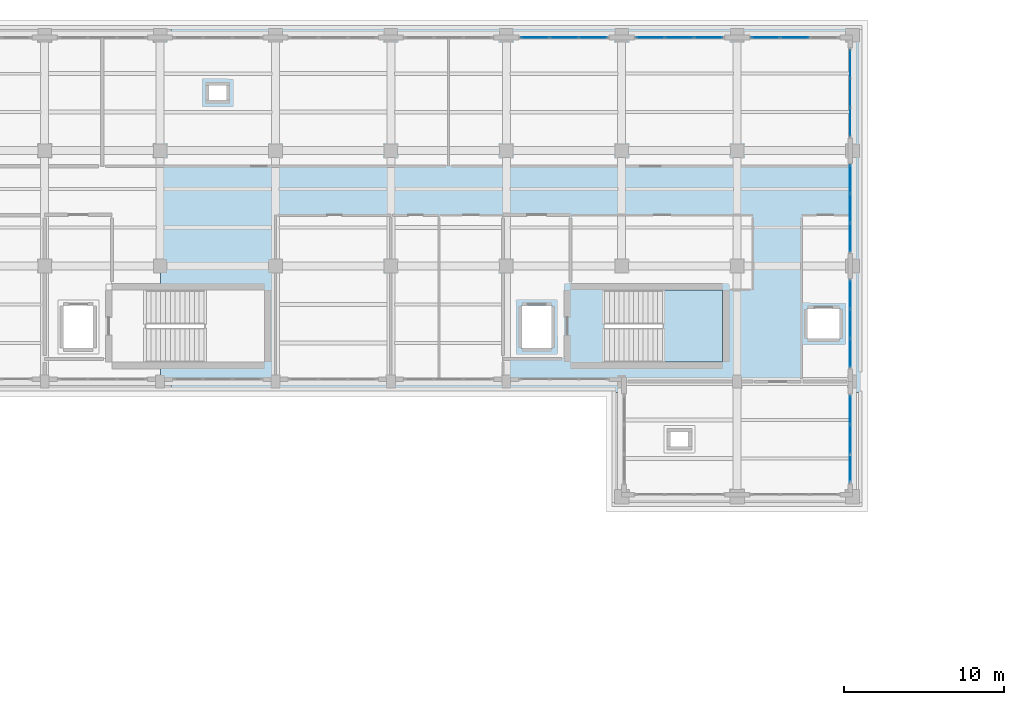
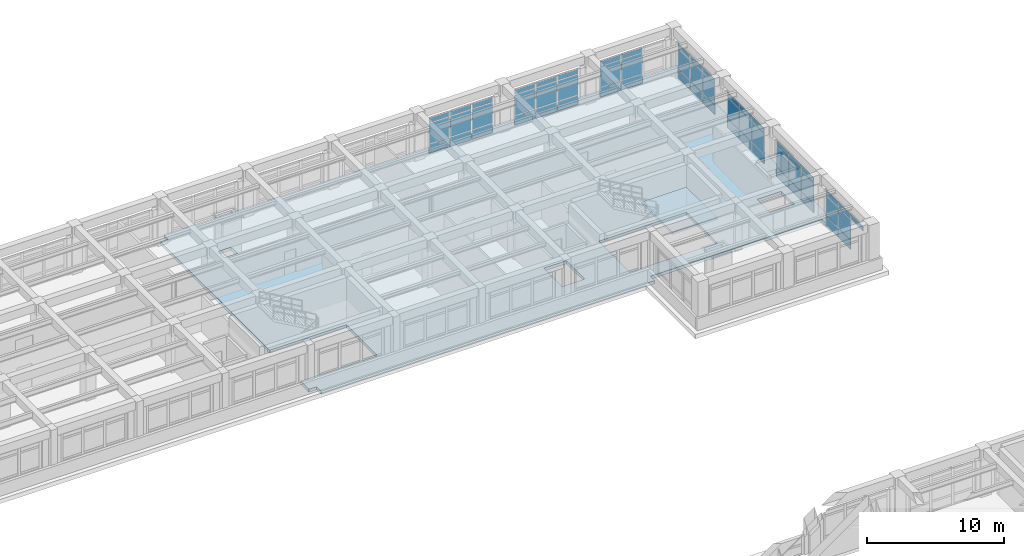
# One storey, part 46 of 69: 58 plates, 2 slabs, 8 elements without a shape of their own.
"""IFC4 building model written with IfcOpenShell, lengths in metres."""

from ifc_helpers import new_model, si_unit, direction, frame, origin, origin_2d, place, context, subcontext, project, spatial, polyline, rectangle, outline, extrude, material, layer, layer_set, type_object, element, aggregate, save


model = new_model("IFC4")

# Units and contexts
model_context = context("Model", 3, precision=1e-05, world=origin(), true_north=direction((0.0, 1.0)))
body_context = subcontext(model_context, "Body", "Model", "MODEL_VIEW")
ifc_project = project(units=[si_unit("LENGTHUNIT", "METRE"), si_unit("AREAUNIT", "SQUARE_METRE"), si_unit("VOLUMEUNIT", "CUBIC_METRE"), si_unit("PLANEANGLEUNIT", "RADIAN"), si_unit("MASSUNIT", "GRAM", prefix="KILO")], contexts=[model_context])

# Site, building, storey
site_placement = place(None, origin())
site = spatial("IfcSite", under=ifc_project, at=site_placement, CompositionType="ELEMENT")
building_placement = place(site_placement, origin())
building = spatial("IfcBuilding", under=site, at=building_placement, Name="Solenvale Faculty of Natural Sciences", CompositionType="ELEMENT")
storey_placement = place(building_placement, frame((0.0, 0.0, 4.5)))
storey = spatial("IfcBuildingStorey", under=building, at=storey_placement, Name="L01", CompositionType="ELEMENT", Elevation=4.5)

# Curtain wall, plates
ifc_material_1 = material(Name="Anodised bronze aluminium", Category="aluminium")
ifc_layer_1 = layer(ifc_material_1, 0.179931640625)
ifc_layer_set_1 = layer_set([ifc_layer_1], Name="Anodised bronze aluminium")
curtain_wall_type = type_object("IfcCurtainWallType", Name="CW-TWR-MOD", PredefinedType="USERDEFINED", material=ifc_layer_set_1)
curtain_wall_1_placement = place(storey_placement, origin())
curtain_wall_1 = element("IfcCurtainWall", 1, at=curtain_wall_1_placement, inside=storey, type_object=curtain_wall_type, Name="L01 Curtain Wall CW-L01-P2-E3-B3", ObjectType="UNITISED CURTAIN WALL", PredefinedType="USERDEFINED")
ifc_material_2 = material(Name="North-light skylight glass", Category="glass")
ifc_layer_2 = layer(ifc_material_2, 0.028076171875)
ifc_layer_set_2 = layer_set([ifc_layer_2], Name="North-light skylight glass")
plate_type_1 = type_object("IfcPlateType", Name="CWP-PNL-28", PredefinedType="CURTAIN_PANEL", material=ifc_layer_set_2)
plate_1_placement = place(storey_placement, frame((151.0576171875, 109.785400390625, 0.074951171875), z_axis=(0.0, 0.0, 1.0), x_axis=(0.0, 1.0, 0.0)))
plate_1 = element("IfcPlate", 2, at=plate_1_placement, type_object=plate_type_1, Name="CW-04 panel 1.1", PredefinedType="CURTAIN_PANEL", context=body_context, shape_type="SweptSolid", body=[
    extrude(rectangle(XDim=1.720947265625, YDim=0.028076171875, at=origin_2d()), origin(), (0.0, 0.0, 1.0), 0.78759765625),
])
plate_2_placement = place(storey_placement, frame((151.0576171875, 109.785400390625, 0.9375), z_axis=(0.0, 0.0, 1.0), x_axis=(0.0, 1.0, 0.0)))
plate_2 = element("IfcPlate", 3, at=plate_2_placement, type_object=plate_type_1, Name="CW-04 panel 1.2", PredefinedType="CURTAIN_PANEL", context=body_context, shape_type="SweptSolid", body=[
    extrude(rectangle(XDim=1.720947265625, YDim=0.028076171875, at=origin_2d()), origin(), (0.0, 0.0, 1.0), 1.784912109375),
])
plate_3_placement = place(storey_placement, frame((151.0576171875, 109.785400390625, 2.79736328125), z_axis=(0.0, 0.0, 1.0), x_axis=(0.0, 1.0, 0.0)))
plate_3 = element("IfcPlate", 4, at=plate_3_placement, type_object=plate_type_1, Name="CW-04 panel 1.3", PredefinedType="CURTAIN_PANEL", context=body_context, shape_type="SweptSolid", body=[
    extrude(rectangle(XDim=1.720947265625, YDim=0.028076171875, at=origin_2d()), origin(), (0.0, 0.0, 1.0), 0.387451171875),
])
plate_4_placement = place(storey_placement, frame((151.0576171875, 111.60009765625, 0.074951171875), z_axis=(0.0, 0.0, 1.0), x_axis=(0.0, 1.0, 0.0)))
plate_4 = element("IfcPlate", 5, at=plate_4_placement, type_object=plate_type_1, Name="CW-04 panel 2.1", PredefinedType="CURTAIN_PANEL", context=body_context, shape_type="SweptSolid", body=[
    extrude(rectangle(XDim=1.75830078125, YDim=0.028076171875, at=origin_2d()), origin(), (0.0, 0.0, 1.0), 0.78759765625),
])
plate_5_placement = place(storey_placement, frame((151.0576171875, 111.60009765625, 0.9375), z_axis=(0.0, 0.0, 1.0), x_axis=(0.0, 1.0, 0.0)))
plate_5 = element("IfcPlate", 6, at=plate_5_placement, type_object=plate_type_1, Name="CW-04 panel 2.2", PredefinedType="CURTAIN_PANEL", context=body_context, shape_type="SweptSolid", body=[
    extrude(rectangle(XDim=1.75830078125, YDim=0.028076171875, at=origin_2d()), origin(), (0.0, 0.0, 1.0), 1.784912109375),
])
plate_6_placement = place(storey_placement, frame((151.0576171875, 111.60009765625, 2.79736328125), z_axis=(0.0, 0.0, 1.0), x_axis=(0.0, 1.0, 0.0)))
plate_6 = element("IfcPlate", 7, at=plate_6_placement, type_object=plate_type_1, Name="CW-04 panel 2.3", PredefinedType="CURTAIN_PANEL", context=body_context, shape_type="SweptSolid", body=[
    extrude(rectangle(XDim=1.75830078125, YDim=0.028076171875, at=origin_2d()), origin(), (0.0, 0.0, 1.0), 0.387451171875),
])
plate_7_placement = place(storey_placement, frame((151.0576171875, 113.41455078125, 0.074951171875), z_axis=(0.0, 0.0, 1.0), x_axis=(0.0, 1.0, 0.0)))
plate_7 = element("IfcPlate", 8, at=plate_7_placement, type_object=plate_type_1, Name="CW-04 panel 3.1", PredefinedType="CURTAIN_PANEL", context=body_context, shape_type="SweptSolid", body=[
    extrude(rectangle(XDim=1.720947265625, YDim=0.028076171875, at=origin_2d()), origin(), (0.0, 0.0, 1.0), 0.78759765625),
])
plate_8_placement = place(storey_placement, frame((151.0576171875, 113.41455078125, 0.9375), z_axis=(0.0, 0.0, 1.0), x_axis=(0.0, 1.0, 0.0)))
plate_8 = element("IfcPlate", 9, at=plate_8_placement, type_object=plate_type_1, Name="CW-04 panel 3.2", PredefinedType="CURTAIN_PANEL", context=body_context, shape_type="SweptSolid", body=[
    extrude(rectangle(XDim=1.720947265625, YDim=0.028076171875, at=origin_2d()), origin(), (0.0, 0.0, 1.0), 1.784912109375),
])
plate_9_placement = place(storey_placement, frame((151.0576171875, 113.41455078125, 2.79736328125), z_axis=(0.0, 0.0, 1.0), x_axis=(0.0, 1.0, 0.0)))
plate_9 = element("IfcPlate", 10, at=plate_9_placement, type_object=plate_type_1, Name="CW-04 panel 3.3", PredefinedType="CURTAIN_PANEL", context=body_context, shape_type="SweptSolid", body=[
    extrude(rectangle(XDim=1.720947265625, YDim=0.028076171875, at=origin_2d()), origin(), (0.0, 0.0, 1.0), 0.387451171875),
])
aggregate(curtain_wall_1, [plate_1, plate_2, plate_3, plate_4, plate_5, plate_6, plate_7, plate_8, plate_9])

curtain_wall_2_placement = place(storey_placement, origin())
curtain_wall_2 = element("IfcCurtainWall", 11, at=curtain_wall_2_placement, inside=storey, type_object=curtain_wall_type, Name="L01 Curtain Wall CW-L01-P2-E4-B2", ObjectType="UNITISED CURTAIN WALL", PredefinedType="USERDEFINED")
plate_10_placement = place(storey_placement, frame((142.214599609375, 115.0576171875, 0.074951171875), z_axis=(0.0, 0.0, 1.0), x_axis=(-1.0, 0.0, 0.0)))
plate_10 = element("IfcPlate", 12, at=plate_10_placement, type_object=plate_type_1, Name="CW-04 panel 1.1", PredefinedType="CURTAIN_PANEL", context=body_context, shape_type="SweptSolid", body=[
    extrude(rectangle(XDim=1.720947265625, YDim=0.028076171875, at=origin_2d()), origin(), (0.0, 0.0, 1.0), 0.78759765625),
])
plate_11_placement = place(storey_placement, frame((142.214599609375, 115.0576171875, 0.9375), z_axis=(0.0, 0.0, 1.0), x_axis=(-1.0, 0.0, 0.0)))
plate_11 = element("IfcPlate", 13, at=plate_11_placement, type_object=plate_type_1, Name="CW-04 panel 1.2", PredefinedType="CURTAIN_PANEL", context=body_context, shape_type="SweptSolid", body=[
    extrude(rectangle(XDim=1.720947265625, YDim=0.028076171875, at=origin_2d()), origin(), (0.0, 0.0, 1.0), 1.784912109375),
])
plate_12_placement = place(storey_placement, frame((142.214599609375, 115.0576171875, 2.79736328125), z_axis=(0.0, 0.0, 1.0), x_axis=(-1.0, 0.0, 0.0)))
plate_12 = element("IfcPlate", 14, at=plate_12_placement, type_object=plate_type_1, Name="CW-04 panel 1.3", PredefinedType="CURTAIN_PANEL", context=body_context, shape_type="SweptSolid", body=[
    extrude(rectangle(XDim=1.720947265625, YDim=0.028076171875, at=origin_2d()), origin(), (0.0, 0.0, 1.0), 0.387451171875),
])
plate_13_placement = place(storey_placement, frame((140.39990234375, 115.0576171875, 0.074951171875), z_axis=(0.0, 0.0, 1.0), x_axis=(-1.0, 0.0, 0.0)))
plate_13 = element("IfcPlate", 15, at=plate_13_placement, type_object=plate_type_1, Name="CW-04 panel 2.1", PredefinedType="CURTAIN_PANEL", context=body_context, shape_type="SweptSolid", body=[
    extrude(rectangle(XDim=1.75830078125, YDim=0.028076171875, at=origin_2d()), origin(), (0.0, 0.0, 1.0), 0.78759765625),
])
plate_14_placement = place(storey_placement, frame((140.39990234375, 115.0576171875, 0.9375), z_axis=(0.0, 0.0, 1.0), x_axis=(-1.0, 0.0, 0.0)))
plate_14 = element("IfcPlate", 16, at=plate_14_placement, type_object=plate_type_1, Name="CW-04 panel 2.2", PredefinedType="CURTAIN_PANEL", context=body_context, shape_type="SweptSolid", body=[
    extrude(rectangle(XDim=1.75830078125, YDim=0.028076171875, at=origin_2d()), origin(), (0.0, 0.0, 1.0), 1.784912109375),
])
plate_15_placement = place(storey_placement, frame((140.39990234375, 115.0576171875, 2.79736328125), z_axis=(0.0, 0.0, 1.0), x_axis=(-1.0, 0.0, 0.0)))
plate_15 = element("IfcPlate", 17, at=plate_15_placement, type_object=plate_type_1, Name="CW-04 panel 2.3", PredefinedType="CURTAIN_PANEL", context=body_context, shape_type="SweptSolid", body=[
    extrude(rectangle(XDim=1.75830078125, YDim=0.028076171875, at=origin_2d()), origin(), (0.0, 0.0, 1.0), 0.387451171875),
])
plate_16_placement = place(storey_placement, frame((138.58544921875, 115.0576171875, 0.074951171875), z_axis=(0.0, 0.0, 1.0), x_axis=(-1.0, 0.0, 0.0)))
plate_16 = element("IfcPlate", 18, at=plate_16_placement, type_object=plate_type_1, Name="CW-04 panel 3.1", PredefinedType="CURTAIN_PANEL", context=body_context, shape_type="SweptSolid", body=[
    extrude(rectangle(XDim=1.720947265625, YDim=0.028076171875, at=origin_2d()), origin(), (0.0, 0.0, 1.0), 0.78759765625),
])
plate_17_placement = place(storey_placement, frame((138.58544921875, 115.0576171875, 0.9375), z_axis=(0.0, 0.0, 1.0), x_axis=(-1.0, 0.0, 0.0)))
plate_17 = element("IfcPlate", 19, at=plate_17_placement, type_object=plate_type_1, Name="CW-04 panel 3.2", PredefinedType="CURTAIN_PANEL", context=body_context, shape_type="SweptSolid", body=[
    extrude(rectangle(XDim=1.720947265625, YDim=0.028076171875, at=origin_2d()), origin(), (0.0, 0.0, 1.0), 1.784912109375),
])
plate_18_placement = place(storey_placement, frame((138.58544921875, 115.0576171875, 2.79736328125), z_axis=(0.0, 0.0, 1.0), x_axis=(-1.0, 0.0, 0.0)))
plate_18 = element("IfcPlate", 20, at=plate_18_placement, type_object=plate_type_1, Name="CW-04 panel 3.3", PredefinedType="CURTAIN_PANEL", context=body_context, shape_type="SweptSolid", body=[
    extrude(rectangle(XDim=1.720947265625, YDim=0.028076171875, at=origin_2d()), origin(), (0.0, 0.0, 1.0), 0.387451171875),
])
aggregate(curtain_wall_2, [plate_10, plate_11, plate_12, plate_13, plate_14, plate_15, plate_16, plate_17, plate_18])

curtain_wall_3_placement = place(storey_placement, origin())
curtain_wall_3 = element("IfcCurtainWall", 21, at=curtain_wall_3_placement, inside=storey, type_object=curtain_wall_type, Name="L01 Curtain Wall CW-L01-P2-E4-B3", ObjectType="UNITISED CURTAIN WALL", PredefinedType="USERDEFINED")
ifc_material_3 = material(Name="Triple low-E insulated glass", Category="glass")
ifc_layer_3 = layer(ifc_material_3, 0.031982421875)
ifc_layer_set_3 = layer_set([ifc_layer_3], Name="Triple low-E insulated glass")
plate_type_2 = type_object("IfcPlateType", Name="CWP-PNL-32", PredefinedType="CURTAIN_PANEL", material=ifc_layer_set_3)
plate_19_placement = place(storey_placement, frame((135.0146484375, 115.0576171875, 0.074951171875), z_axis=(0.0, 0.0, 1.0), x_axis=(-1.0, 0.0, 0.0)))
plate_19 = element("IfcPlate", 22, at=plate_19_placement, type_object=plate_type_2, Name="CW-04 panel 1.1", PredefinedType="CURTAIN_PANEL", context=body_context, shape_type="SweptSolid", body=[
    extrude(rectangle(XDim=1.720947265625, YDim=0.031982421875, at=origin_2d()), origin(), (0.0, 0.0, 1.0), 0.78759765625),
])
plate_20_placement = place(storey_placement, frame((135.0146484375, 115.0576171875, 0.9375), z_axis=(0.0, 0.0, 1.0), x_axis=(-1.0, 0.0, 0.0)))
plate_20 = element("IfcPlate", 23, at=plate_20_placement, type_object=plate_type_2, Name="CW-04 panel 1.2", PredefinedType="CURTAIN_PANEL", context=body_context, shape_type="SweptSolid", body=[
    extrude(rectangle(XDim=1.720947265625, YDim=0.031982421875, at=origin_2d()), origin(), (0.0, 0.0, 1.0), 1.784912109375),
])
plate_21_placement = place(storey_placement, frame((135.0146484375, 115.0576171875, 2.79736328125), z_axis=(0.0, 0.0, 1.0), x_axis=(-1.0, 0.0, 0.0)))
plate_21 = element("IfcPlate", 24, at=plate_21_placement, type_object=plate_type_2, Name="CW-04 panel 1.3", PredefinedType="CURTAIN_PANEL", context=body_context, shape_type="SweptSolid", body=[
    extrude(rectangle(XDim=1.720947265625, YDim=0.031982421875, at=origin_2d()), origin(), (0.0, 0.0, 1.0), 0.387451171875),
])
plate_22_placement = place(storey_placement, frame((133.199951171875, 115.0576171875, 0.074951171875), z_axis=(0.0, 0.0, 1.0), x_axis=(-1.0, 0.0, 0.0)))
plate_22 = element("IfcPlate", 25, at=plate_22_placement, type_object=plate_type_2, Name="CW-04 panel 2.1", PredefinedType="CURTAIN_PANEL", context=body_context, shape_type="SweptSolid", body=[
    extrude(rectangle(XDim=1.75830078125, YDim=0.031982421875, at=origin_2d()), origin(), (0.0, 0.0, 1.0), 0.78759765625),
])
plate_23_placement = place(storey_placement, frame((133.199951171875, 115.0576171875, 0.9375), z_axis=(0.0, 0.0, 1.0), x_axis=(-1.0, 0.0, 0.0)))
plate_23 = element("IfcPlate", 26, at=plate_23_placement, type_object=plate_type_2, Name="CW-04 panel 2.2", PredefinedType="CURTAIN_PANEL", context=body_context, shape_type="SweptSolid", body=[
    extrude(rectangle(XDim=1.75830078125, YDim=0.031982421875, at=origin_2d()), origin(), (0.0, 0.0, 1.0), 1.784912109375),
])
plate_24_placement = place(storey_placement, frame((133.199951171875, 115.0576171875, 2.79736328125), z_axis=(0.0, 0.0, 1.0), x_axis=(-1.0, 0.0, 0.0)))
plate_24 = element("IfcPlate", 27, at=plate_24_placement, type_object=plate_type_2, Name="CW-04 panel 2.3", PredefinedType="CURTAIN_PANEL", context=body_context, shape_type="SweptSolid", body=[
    extrude(rectangle(XDim=1.75830078125, YDim=0.031982421875, at=origin_2d()), origin(), (0.0, 0.0, 1.0), 0.387451171875),
])
plate_25_placement = place(storey_placement, frame((131.385498046875, 115.0576171875, 0.074951171875), z_axis=(0.0, 0.0, 1.0), x_axis=(-1.0, 0.0, 0.0)))
plate_25 = element("IfcPlate", 28, at=plate_25_placement, type_object=plate_type_2, Name="CW-04 panel 3.1", PredefinedType="CURTAIN_PANEL", context=body_context, shape_type="SweptSolid", body=[
    extrude(rectangle(XDim=1.720947265625, YDim=0.031982421875, at=origin_2d()), origin(), (0.0, 0.0, 1.0), 0.78759765625),
])
plate_26_placement = place(storey_placement, frame((131.385498046875, 115.0576171875, 0.9375), z_axis=(0.0, 0.0, 1.0), x_axis=(-1.0, 0.0, 0.0)))
plate_26 = element("IfcPlate", 29, at=plate_26_placement, type_object=plate_type_2, Name="CW-04 panel 3.2", PredefinedType="CURTAIN_PANEL", context=body_context, shape_type="SweptSolid", body=[
    extrude(rectangle(XDim=1.720947265625, YDim=0.031982421875, at=origin_2d()), origin(), (0.0, 0.0, 1.0), 1.784912109375),
])
plate_27_placement = place(storey_placement, frame((131.385498046875, 115.0576171875, 2.79736328125), z_axis=(0.0, 0.0, 1.0), x_axis=(-1.0, 0.0, 0.0)))
plate_27 = element("IfcPlate", 30, at=plate_27_placement, type_object=plate_type_2, Name="CW-04 panel 3.3", PredefinedType="CURTAIN_PANEL", context=body_context, shape_type="SweptSolid", body=[
    extrude(rectangle(XDim=1.720947265625, YDim=0.031982421875, at=origin_2d()), origin(), (0.0, 0.0, 1.0), 0.387451171875),
])
aggregate(curtain_wall_3, [plate_19, plate_20, plate_21, plate_22, plate_23, plate_24, plate_25, plate_26, plate_27])

curtain_wall_4_placement = place(storey_placement, origin())
curtain_wall_4 = element("IfcCurtainWall", 31, at=curtain_wall_4_placement, inside=storey, type_object=curtain_wall_type, Name="L01 Curtain Wall CW-L01-P2-E2-B1", ObjectType="UNITISED CURTAIN WALL", PredefinedType="USERDEFINED")
ifc_layer_4 = layer(ifc_material_1, 0.048095703125)
ifc_layer_set_4 = layer_set([ifc_layer_4], Name="Anodised bronze aluminium")
plate_type_3 = type_object("IfcPlateType", Name="CWP-PNL-48", PredefinedType="CURTAIN_PANEL", material=ifc_layer_set_4)
plate_28_placement = place(storey_placement, frame((151.0576171875, 88.185302734375, 2.79736328125), z_axis=(0.0, 0.0, 1.0), x_axis=(0.0, 1.0, 0.0)))
plate_28 = element("IfcPlate", 32, at=plate_28_placement, type_object=plate_type_3, Name="CW-04 panel 1.3", PredefinedType="CURTAIN_PANEL", context=body_context, shape_type="SweptSolid", body=[
    extrude(rectangle(XDim=1.720947265625, YDim=0.048095703125, at=origin_2d()), origin(), (0.0, 0.0, 1.0), 0.387451171875),
])
plate_29_placement = place(storey_placement, frame((151.0576171875, 90.0, 0.074951171875), z_axis=(0.0, 0.0, 1.0), x_axis=(0.0, 1.0, 0.0)))
plate_29 = element("IfcPlate", 33, at=plate_29_placement, type_object=plate_type_3, Name="CW-04 panel 2.1", PredefinedType="CURTAIN_PANEL", context=body_context, shape_type="SweptSolid", body=[
    extrude(rectangle(XDim=1.75830078125, YDim=0.048095703125, at=origin_2d()), origin(), (0.0, 0.0, 1.0), 0.78759765625),
])
plate_30_placement = place(storey_placement, frame((151.0576171875, 90.0, 0.9375), z_axis=(0.0, 0.0, 1.0), x_axis=(0.0, 1.0, 0.0)))
plate_30 = element("IfcPlate", 34, at=plate_30_placement, type_object=plate_type_3, Name="CW-04 panel 2.2", PredefinedType="CURTAIN_PANEL", context=body_context, shape_type="SweptSolid", body=[
    extrude(rectangle(XDim=1.75830078125, YDim=0.048095703125, at=origin_2d()), origin(), (0.0, 0.0, 1.0), 1.784912109375),
])
plate_31_placement = place(storey_placement, frame((151.0576171875, 90.0, 2.79736328125), z_axis=(0.0, 0.0, 1.0), x_axis=(0.0, 1.0, 0.0)))
plate_31 = element("IfcPlate", 35, at=plate_31_placement, type_object=plate_type_3, Name="CW-04 panel 2.3", PredefinedType="CURTAIN_PANEL", context=body_context, shape_type="SweptSolid", body=[
    extrude(rectangle(XDim=1.75830078125, YDim=0.048095703125, at=origin_2d()), origin(), (0.0, 0.0, 1.0), 0.387451171875),
])
plate_32_placement = place(storey_placement, frame((151.0576171875, 91.814697265625, 0.074951171875), z_axis=(0.0, 0.0, 1.0), x_axis=(0.0, 1.0, 0.0)))
plate_32 = element("IfcPlate", 36, at=plate_32_placement, type_object=plate_type_3, Name="CW-04 panel 3.1", PredefinedType="CURTAIN_PANEL", context=body_context, shape_type="SweptSolid", body=[
    extrude(rectangle(XDim=1.720947265625, YDim=0.048095703125, at=origin_2d()), origin(), (0.0, 0.0, 1.0), 0.78759765625),
])
plate_33_placement = place(storey_placement, frame((151.0576171875, 91.814697265625, 0.9375), z_axis=(0.0, 0.0, 1.0), x_axis=(0.0, 1.0, 0.0)))
plate_33 = element("IfcPlate", 37, at=plate_33_placement, type_object=plate_type_3, Name="CW-04 panel 3.2", PredefinedType="CURTAIN_PANEL", context=body_context, shape_type="SweptSolid", body=[
    extrude(rectangle(XDim=1.720947265625, YDim=0.048095703125, at=origin_2d()), origin(), (0.0, 0.0, 1.0), 1.784912109375),
])
plate_34_placement = place(storey_placement, frame((151.0576171875, 91.814697265625, 2.79736328125), z_axis=(0.0, 0.0, 1.0), x_axis=(0.0, 1.0, 0.0)))
plate_34 = element("IfcPlate", 38, at=plate_34_placement, type_object=plate_type_3, Name="CW-04 panel 3.3", PredefinedType="CURTAIN_PANEL", context=body_context, shape_type="SweptSolid", body=[
    extrude(rectangle(XDim=1.720947265625, YDim=0.048095703125, at=origin_2d()), origin(), (0.0, 0.0, 1.0), 0.387451171875),
])
aggregate(curtain_wall_4, [plate_28, plate_29, plate_30, plate_31, plate_32, plate_33, plate_34])

curtain_wall_5_placement = place(storey_placement, origin())
curtain_wall_5 = element("IfcCurtainWall", 39, at=curtain_wall_5_placement, inside=storey, type_object=curtain_wall_type, Name="L01 Curtain Wall CW-L01-P2-E3-B1", ObjectType="UNITISED CURTAIN WALL", PredefinedType="USERDEFINED")
ifc_layer_5 = layer(ifc_material_1, 0.053955078125)
ifc_layer_set_5 = layer_set([ifc_layer_5], Name="Anodised bronze aluminium")
plate_type_4 = type_object("IfcPlateType", Name="CWP-PNL-54", PredefinedType="CURTAIN_PANEL", material=ifc_layer_set_5)
plate_35_placement = place(storey_placement, frame((151.0576171875, 95.385498046875, 0.074951171875), z_axis=(0.0, 0.0, 1.0), x_axis=(0.0, 1.0, 0.0)))
plate_35 = element("IfcPlate", 40, at=plate_35_placement, type_object=plate_type_4, Name="CW-04 panel 1.1", PredefinedType="CURTAIN_PANEL", context=body_context, shape_type="SweptSolid", body=[
    extrude(rectangle(XDim=1.720947265625, YDim=0.053955078125, at=origin_2d()), origin(), (0.0, 0.0, 1.0), 0.78759765625),
])
plate_36_placement = place(storey_placement, frame((151.0576171875, 95.385498046875, 0.9375), z_axis=(0.0, 0.0, 1.0), x_axis=(0.0, 1.0, 0.0)))
plate_36 = element("IfcPlate", 41, at=plate_36_placement, type_object=plate_type_4, Name="CW-04 panel 1.2", PredefinedType="CURTAIN_PANEL", context=body_context, shape_type="SweptSolid", body=[
    extrude(rectangle(XDim=1.720947265625, YDim=0.053955078125, at=origin_2d()), origin(), (0.0, 0.0, 1.0), 1.784912109375),
])
plate_37_placement = place(storey_placement, frame((151.0576171875, 95.385498046875, 2.79736328125), z_axis=(0.0, 0.0, 1.0), x_axis=(0.0, 1.0, 0.0)))
plate_37 = element("IfcPlate", 42, at=plate_37_placement, type_object=plate_type_4, Name="CW-04 panel 1.3", PredefinedType="CURTAIN_PANEL", context=body_context, shape_type="SweptSolid", body=[
    extrude(rectangle(XDim=1.720947265625, YDim=0.053955078125, at=origin_2d()), origin(), (0.0, 0.0, 1.0), 0.387451171875),
])
plate_38_placement = place(storey_placement, frame((151.0576171875, 97.199951171875, 0.074951171875), z_axis=(0.0, 0.0, 1.0), x_axis=(0.0, 1.0, 0.0)))
plate_38 = element("IfcPlate", 43, at=plate_38_placement, type_object=plate_type_4, Name="CW-04 panel 2.1", PredefinedType="CURTAIN_PANEL", context=body_context, shape_type="SweptSolid", body=[
    extrude(rectangle(XDim=1.75830078125, YDim=0.053955078125, at=origin_2d()), origin(), (0.0, 0.0, 1.0), 0.78759765625),
])
plate_39_placement = place(storey_placement, frame((151.0576171875, 97.199951171875, 0.9375), z_axis=(0.0, 0.0, 1.0), x_axis=(0.0, 1.0, 0.0)))
plate_39 = element("IfcPlate", 44, at=plate_39_placement, type_object=plate_type_4, Name="CW-04 panel 2.2", PredefinedType="CURTAIN_PANEL", context=body_context, shape_type="SweptSolid", body=[
    extrude(rectangle(XDim=1.75830078125, YDim=0.053955078125, at=origin_2d()), origin(), (0.0, 0.0, 1.0), 1.784912109375),
])
plate_40_placement = place(storey_placement, frame((151.0576171875, 97.199951171875, 2.79736328125), z_axis=(0.0, 0.0, 1.0), x_axis=(0.0, 1.0, 0.0)))
plate_40 = element("IfcPlate", 45, at=plate_40_placement, type_object=plate_type_4, Name="CW-04 panel 2.3", PredefinedType="CURTAIN_PANEL", context=body_context, shape_type="SweptSolid", body=[
    extrude(rectangle(XDim=1.75830078125, YDim=0.053955078125, at=origin_2d()), origin(), (0.0, 0.0, 1.0), 0.387451171875),
])
plate_41_placement = place(storey_placement, frame((151.0576171875, 99.0146484375, 0.074951171875), z_axis=(0.0, 0.0, 1.0), x_axis=(0.0, 1.0, 0.0)))
plate_41 = element("IfcPlate", 46, at=plate_41_placement, type_object=plate_type_4, Name="CW-04 panel 3.1", PredefinedType="CURTAIN_PANEL", context=body_context, shape_type="SweptSolid", body=[
    extrude(rectangle(XDim=1.720947265625, YDim=0.053955078125, at=origin_2d()), origin(), (0.0, 0.0, 1.0), 0.78759765625),
])
plate_42_placement = place(storey_placement, frame((151.0576171875, 99.0146484375, 0.9375), z_axis=(0.0, 0.0, 1.0), x_axis=(0.0, 1.0, 0.0)))
plate_42 = element("IfcPlate", 47, at=plate_42_placement, type_object=plate_type_4, Name="CW-04 panel 3.2", PredefinedType="CURTAIN_PANEL", context=body_context, shape_type="SweptSolid", body=[
    extrude(rectangle(XDim=1.720947265625, YDim=0.053955078125, at=origin_2d()), origin(), (0.0, 0.0, 1.0), 1.784912109375),
])
plate_43_placement = place(storey_placement, frame((151.0576171875, 99.0146484375, 2.79736328125), z_axis=(0.0, 0.0, 1.0), x_axis=(0.0, 1.0, 0.0)))
plate_43 = element("IfcPlate", 48, at=plate_43_placement, type_object=plate_type_4, Name="CW-04 panel 3.3", PredefinedType="CURTAIN_PANEL", context=body_context, shape_type="SweptSolid", body=[
    extrude(rectangle(XDim=1.720947265625, YDim=0.053955078125, at=origin_2d()), origin(), (0.0, 0.0, 1.0), 0.387451171875),
])
aggregate(curtain_wall_5, [plate_35, plate_36, plate_37, plate_38, plate_39, plate_40, plate_41, plate_42, plate_43])

curtain_wall_6_placement = place(storey_placement, origin())
curtain_wall_6 = element("IfcCurtainWall", 49, at=curtain_wall_6_placement, inside=storey, type_object=curtain_wall_type, Name="L01 Curtain Wall CW-L01-P2-E3-B2", ObjectType="UNITISED CURTAIN WALL", PredefinedType="USERDEFINED")
ifc_layer_6 = layer(ifc_material_1, 0.06005859375)
ifc_layer_set_6 = layer_set([ifc_layer_6], Name="Anodised bronze aluminium")
plate_type_5 = type_object("IfcPlateType", Name="CWP-PNL-60", PredefinedType="CURTAIN_PANEL", material=ifc_layer_set_6)
plate_44_placement = place(storey_placement, frame((151.0576171875, 102.58544921875, 0.074951171875), z_axis=(0.0, 0.0, 1.0), x_axis=(0.0, 1.0, 0.0)))
plate_44 = element("IfcPlate", 50, at=plate_44_placement, type_object=plate_type_5, Name="CW-04 panel 1.1", PredefinedType="CURTAIN_PANEL", context=body_context, shape_type="SweptSolid", body=[
    extrude(rectangle(XDim=1.720947265625, YDim=0.06005859375, at=origin_2d()), origin(), (0.0, 0.0, 1.0), 0.78759765625),
])
plate_45_placement = place(storey_placement, frame((151.0576171875, 102.58544921875, 0.9375), z_axis=(0.0, 0.0, 1.0), x_axis=(0.0, 1.0, 0.0)))
plate_45 = element("IfcPlate", 51, at=plate_45_placement, type_object=plate_type_5, Name="CW-04 panel 1.2", PredefinedType="CURTAIN_PANEL", context=body_context, shape_type="SweptSolid", body=[
    extrude(rectangle(XDim=1.720947265625, YDim=0.06005859375, at=origin_2d()), origin(), (0.0, 0.0, 1.0), 1.784912109375),
])
plate_46_placement = place(storey_placement, frame((151.0576171875, 102.58544921875, 2.79736328125), z_axis=(0.0, 0.0, 1.0), x_axis=(0.0, 1.0, 0.0)))
plate_46 = element("IfcPlate", 52, at=plate_46_placement, type_object=plate_type_5, Name="CW-04 panel 1.3", PredefinedType="CURTAIN_PANEL", context=body_context, shape_type="SweptSolid", body=[
    extrude(rectangle(XDim=1.720947265625, YDim=0.06005859375, at=origin_2d()), origin(), (0.0, 0.0, 1.0), 0.387451171875),
])
plate_47_placement = place(storey_placement, frame((151.0576171875, 104.39990234375, 0.074951171875), z_axis=(0.0, 0.0, 1.0), x_axis=(0.0, 1.0, 0.0)))
plate_47 = element("IfcPlate", 53, at=plate_47_placement, type_object=plate_type_5, Name="CW-04 panel 2.1", PredefinedType="CURTAIN_PANEL", context=body_context, shape_type="SweptSolid", body=[
    extrude(rectangle(XDim=1.75830078125, YDim=0.06005859375, at=origin_2d()), origin(), (0.0, 0.0, 1.0), 0.78759765625),
])
plate_48_placement = place(storey_placement, frame((151.0576171875, 104.39990234375, 0.9375), z_axis=(0.0, 0.0, 1.0), x_axis=(0.0, 1.0, 0.0)))
plate_48 = element("IfcPlate", 54, at=plate_48_placement, type_object=plate_type_5, Name="CW-04 panel 2.2", PredefinedType="CURTAIN_PANEL", context=body_context, shape_type="SweptSolid", body=[
    extrude(rectangle(XDim=1.75830078125, YDim=0.06005859375, at=origin_2d()), origin(), (0.0, 0.0, 1.0), 1.784912109375),
])
plate_49_placement = place(storey_placement, frame((151.0576171875, 104.39990234375, 2.79736328125), z_axis=(0.0, 0.0, 1.0), x_axis=(0.0, 1.0, 0.0)))
plate_49 = element("IfcPlate", 55, at=plate_49_placement, type_object=plate_type_5, Name="CW-04 panel 2.3", PredefinedType="CURTAIN_PANEL", context=body_context, shape_type="SweptSolid", body=[
    extrude(rectangle(XDim=1.75830078125, YDim=0.06005859375, at=origin_2d()), origin(), (0.0, 0.0, 1.0), 0.387451171875),
])
plate_50_placement = place(storey_placement, frame((151.0576171875, 106.214599609375, 0.074951171875), z_axis=(0.0, 0.0, 1.0), x_axis=(0.0, 1.0, 0.0)))
plate_50 = element("IfcPlate", 56, at=plate_50_placement, type_object=plate_type_5, Name="CW-04 panel 3.1", PredefinedType="CURTAIN_PANEL", context=body_context, shape_type="SweptSolid", body=[
    extrude(rectangle(XDim=1.720947265625, YDim=0.06005859375, at=origin_2d()), origin(), (0.0, 0.0, 1.0), 0.78759765625),
])
plate_51_placement = place(storey_placement, frame((151.0576171875, 106.214599609375, 0.9375), z_axis=(0.0, 0.0, 1.0), x_axis=(0.0, 1.0, 0.0)))
plate_51 = element("IfcPlate", 57, at=plate_51_placement, type_object=plate_type_5, Name="CW-04 panel 3.2", PredefinedType="CURTAIN_PANEL", context=body_context, shape_type="SweptSolid", body=[
    extrude(rectangle(XDim=1.720947265625, YDim=0.06005859375, at=origin_2d()), origin(), (0.0, 0.0, 1.0), 1.784912109375),
])
plate_52_placement = place(storey_placement, frame((151.0576171875, 106.214599609375, 2.79736328125), z_axis=(0.0, 0.0, 1.0), x_axis=(0.0, 1.0, 0.0)))
plate_52 = element("IfcPlate", 58, at=plate_52_placement, type_object=plate_type_5, Name="CW-04 panel 3.3", PredefinedType="CURTAIN_PANEL", context=body_context, shape_type="SweptSolid", body=[
    extrude(rectangle(XDim=1.720947265625, YDim=0.06005859375, at=origin_2d()), origin(), (0.0, 0.0, 1.0), 0.387451171875),
])
aggregate(curtain_wall_6, [plate_44, plate_45, plate_46, plate_47, plate_48, plate_49, plate_50, plate_51, plate_52])

curtain_wall_7_placement = place(storey_placement, origin())
curtain_wall_7 = element("IfcCurtainWall", 59, at=curtain_wall_7_placement, inside=storey, type_object=curtain_wall_type, Name="L01 Curtain Wall CW-L01-P2-E4-B1", ObjectType="UNITISED CURTAIN WALL", PredefinedType="USERDEFINED")
plate_53_placement = place(storey_placement, frame((147.60009765625, 115.0576171875, 0.074951171875), z_axis=(0.0, 0.0, 1.0), x_axis=(-1.0, 0.0, 0.0)))
plate_53 = element("IfcPlate", 60, at=plate_53_placement, type_object=plate_type_5, Name="CW-04 panel 2.1", PredefinedType="CURTAIN_PANEL", context=body_context, shape_type="SweptSolid", body=[
    extrude(rectangle(XDim=1.75830078125, YDim=0.06005859375, at=origin_2d()), origin(), (0.0, 0.0, 1.0), 0.78759765625),
])
plate_54_placement = place(storey_placement, frame((147.60009765625, 115.0576171875, 0.9375), z_axis=(0.0, 0.0, 1.0), x_axis=(-1.0, 0.0, 0.0)))
plate_54 = element("IfcPlate", 61, at=plate_54_placement, type_object=plate_type_5, Name="CW-04 panel 2.2", PredefinedType="CURTAIN_PANEL", context=body_context, shape_type="SweptSolid", body=[
    extrude(rectangle(XDim=1.75830078125, YDim=0.06005859375, at=origin_2d()), origin(), (0.0, 0.0, 1.0), 1.784912109375),
])
plate_55_placement = place(storey_placement, frame((147.60009765625, 115.0576171875, 2.79736328125), z_axis=(0.0, 0.0, 1.0), x_axis=(-1.0, 0.0, 0.0)))
plate_55 = element("IfcPlate", 62, at=plate_55_placement, type_object=plate_type_5, Name="CW-04 panel 2.3", PredefinedType="CURTAIN_PANEL", context=body_context, shape_type="SweptSolid", body=[
    extrude(rectangle(XDim=1.75830078125, YDim=0.06005859375, at=origin_2d()), origin(), (0.0, 0.0, 1.0), 0.387451171875),
])
plate_56_placement = place(storey_placement, frame((145.785400390625, 115.0576171875, 0.074951171875), z_axis=(0.0, 0.0, 1.0), x_axis=(-1.0, 0.0, 0.0)))
plate_56 = element("IfcPlate", 63, at=plate_56_placement, type_object=plate_type_5, Name="CW-04 panel 3.1", PredefinedType="CURTAIN_PANEL", context=body_context, shape_type="SweptSolid", body=[
    extrude(rectangle(XDim=1.720947265625, YDim=0.06005859375, at=origin_2d()), origin(), (0.0, 0.0, 1.0), 0.78759765625),
])
plate_57_placement = place(storey_placement, frame((145.785400390625, 115.0576171875, 0.9375), z_axis=(0.0, 0.0, 1.0), x_axis=(-1.0, 0.0, 0.0)))
plate_57 = element("IfcPlate", 64, at=plate_57_placement, type_object=plate_type_5, Name="CW-04 panel 3.2", PredefinedType="CURTAIN_PANEL", context=body_context, shape_type="SweptSolid", body=[
    extrude(rectangle(XDim=1.720947265625, YDim=0.06005859375, at=origin_2d()), origin(), (0.0, 0.0, 1.0), 1.784912109375),
])
plate_58_placement = place(storey_placement, frame((145.785400390625, 115.0576171875, 2.79736328125), z_axis=(0.0, 0.0, 1.0), x_axis=(-1.0, 0.0, 0.0)))
plate_58 = element("IfcPlate", 65, at=plate_58_placement, type_object=plate_type_5, Name="CW-04 panel 3.3", PredefinedType="CURTAIN_PANEL", context=body_context, shape_type="SweptSolid", body=[
    extrude(rectangle(XDim=1.720947265625, YDim=0.06005859375, at=origin_2d()), origin(), (0.0, 0.0, 1.0), 0.387451171875),
])
aggregate(curtain_wall_7, [plate_53, plate_54, plate_55, plate_56, plate_57, plate_58])

# Slab
ifc_material_4 = material(Name="Concrete 40 MPa", Category="concrete")
ifc_layer_7 = layer(ifc_material_4, 0.280029296875)
ifc_layer_set_7 = layer_set([ifc_layer_7], Name="Concrete 40 MPa")
slab_type_1 = type_object("IfcSlabType", Name="SL-FLR-280", PredefinedType="FLOOR", material=ifc_layer_set_7)
slab_1_placement = place(storey_placement, frame((0.0, 0.0, -0.280029296875)))
element("IfcSlab", 66, at=slab_1_placement, inside=storey, type_object=slab_type_1, Name="L01 V5 Floor Slab 2.1", PredefinedType="FLOOR", context=body_context, shape_type="SweptSolid", body=[
    extrude(outline(polyline([(108.054931640625, 93.580078125), (108.037353515625, 93.58740234375), (108.030029296875, 93.60498046875), (108.030029296875, 94.77490234375), (108.03564453125, 94.791015625), (108.050048828125, 94.799560546875), (114.5, 94.800537109375), (114.5, 99.300048828125), (108.054931640625, 99.300048828125), (108.031005859375, 99.317626953125), (108.030029296875, 115.195068359375), (108.037353515625, 115.212646484375), (108.054931640625, 115.219970703125), (108.679931640625, 115.219970703125), (108.679931640625, 115.85498046875), (108.693115234375, 115.876953125), (151.85498046875, 115.8798828125), (151.876953125, 115.86669921875), (151.8798828125, 92.945068359375), (151.86669921875, 92.923095703125), (151.2451171875, 92.919921875), (151.227294921875, 92.92724609375), (151.219970703125, 92.945068359375), (151.219970703125, 93.55029296875), (151.214599609375, 93.563720703125), (151.2001953125, 93.570068359375), (136.80029296875, 93.570068359375), (136.786376953125, 93.564697265625), (136.780029296875, 93.55029296875), (136.77978515625, 92.9423828125), (136.77099609375, 92.92578125), (136.7548828125, 92.919921875), (108.705078125, 92.919921875), (108.687255859375, 92.92724609375), (108.679931640625, 92.945068359375), (108.679931640625, 93.580078125), (108.054931640625, 93.580078125)]), holes=[polyline([(148.385009765625, 96.260009765625), (150.4150390625, 96.260009765625), (150.4150390625, 98.139892578125), (148.385009765625, 98.139892578125), (148.385009765625, 96.260009765625)]), polyline([(135.739990234375, 94.800048828125), (143.10009765625, 94.800048828125), (143.10009765625, 99.300048828125), (135.739990234375, 99.300048828125), (135.739990234375, 94.800048828125)]), polyline([(130.56005859375, 95.659912109375), (132.43994140625, 95.659912109375), (132.43994140625, 98.340087890625), (130.56005859375, 98.340087890625), (130.56005859375, 95.659912109375)]), polyline([(111.050048828125, 111.14990234375), (112.14990234375, 111.14990234375), (112.14990234375, 112.050048828125), (111.050048828125, 112.050048828125), (111.050048828125, 111.14990234375)])]), origin(), (0.0, 0.0, 1.0), 0.280029296875),
])

# Stair, slab
stair_type = type_object("IfcStairType", Name="STR-CORE-25R", PredefinedType="DOUBLE_RETURN_STAIR", material=ifc_material_4)
stair_placement = place(storey_placement, origin())
stair = element("IfcStair", 67, at=stair_placement, inside=storey, type_object=stair_type, Name="L01 Protected Exit Stair ST-05", PredefinedType="DOUBLE_RETURN_STAIR")
ifc_layer_8 = layer(ifc_material_4, 0.195068359375)
ifc_layer_set_8 = layer_set([ifc_layer_8], Name="Concrete 40 MPa")
slab_type_2 = type_object("IfcSlabType", Name="SL-LND-195", PredefinedType="LANDING", material=ifc_layer_set_8)
slab_2_placement = place(storey_placement, frame((0.0, 0.0, 2.050048828125)))
slab_2 = element("IfcSlab", 68, at=slab_2_placement, type_object=slab_type_2, Name="ST-05 landing 1", PredefinedType="LANDING", context=body_context, shape_type="SweptSolid", body=[
    extrude(outline(polyline([(139.340087890625, 94.800048828125), (143.10009765625, 94.800048828125), (143.10009765625, 99.300048828125), (139.340087890625, 99.300048828125), (139.340087890625, 94.800048828125)])), origin(), (0.0, 0.0, 1.0), 0.199951171875),
])
aggregate(stair, [slab_2])

save(model, "model.ifc")
